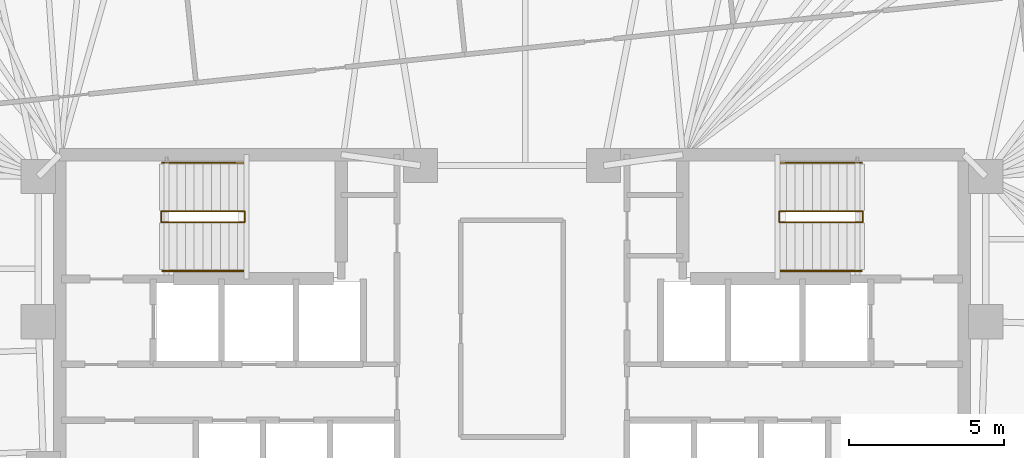
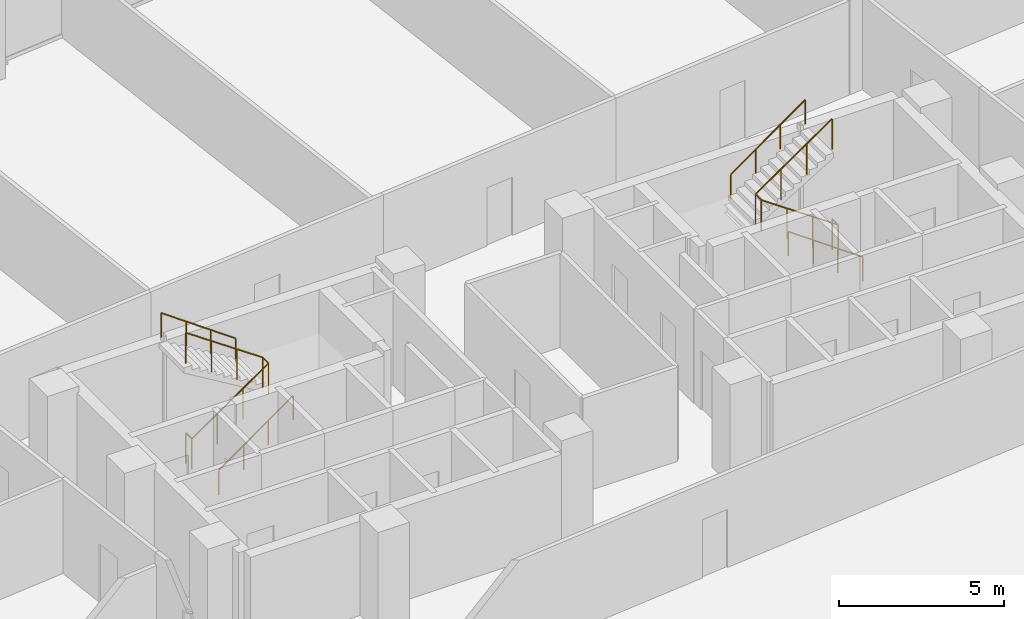
# One storey, part 18 of 18: 6 railings.
"""IFC4 building model written with IfcOpenShell, lengths in metres."""

from ifc_helpers import new_model, si_unit, direction, frame, origin, origin_2d, place, context, subcontext, project, spatial, circle, extrude, material, type_object, element, save


model = new_model("IFC4")

# Units and contexts
model_context = context("Model", 3, precision=1e-05, world=origin(), true_north=direction((0.0, 1.0)))
body_context = subcontext(model_context, "Body", "Model", "MODEL_VIEW")
ifc_project = project(units=[si_unit("LENGTHUNIT", "METRE"), si_unit("AREAUNIT", "SQUARE_METRE"), si_unit("VOLUMEUNIT", "CUBIC_METRE"), si_unit("PLANEANGLEUNIT", "RADIAN"), si_unit("MASSUNIT", "GRAM", prefix="KILO")], contexts=[model_context])

# Site, building, storey
site_placement = place(None, origin())
site = spatial("IfcSite", under=ifc_project, at=site_placement, CompositionType="ELEMENT")
building_placement = place(site_placement, origin())
building = spatial("IfcBuilding", under=site, at=building_placement, Name="Menara Jurai Vektor", CompositionType="ELEMENT")
storey_placement = place(building_placement, frame((0.0, 0.0, 105.89990234375)))
storey = spatial("IfcBuildingStorey", under=building, at=storey_placement, Name="L26", CompositionType="ELEMENT", Elevation=105.89990234375)

# Railings
ifc_material_1 = material(Name="Painted Galvanised Steel Balustrade", Category="steel")
railing_type_1 = type_object("IfcRailingType", Name="RAIL-STAIR-GUARD", PredefinedType="GUARDRAIL", material=ifc_material_1)
railing_1_placement = place(storey_placement, frame((-11.2900390625, 3.780029296875, 0.0)))
element("IfcRailing", 1, at=railing_1_placement, inside=storey, type_object=railing_type_1, Name="ST1 Stair Guardrail 1 L26", PredefinedType="GUARDRAIL", context=body_context, shape_type="SweptSolid", body=[
    extrude(circle(Radius=0.02392578125, at=origin_2d()), frame((0.0, 0.0, 1.1259765625), z_axis=(0.0, -1.0, 0.0), x_axis=(1.0, 0.0, 0.0)), (0.0, 0.0, 1.0), 0.360107421875),
    extrude(circle(Radius=0.02392578125, at=origin_2d()), frame((0.0, -0.360107421875, 1.1259765625), z_axis=(0.822944469782, 0.0, 0.568121817619), x_axis=(0.0, 1.0, 0.0)), (0.0, 0.0, 1.0), 3.256591796875),
    extrude(circle(Radius=0.02392578125, at=origin_2d()), frame((2.679931640625, -0.360107421875, 2.97607421875), z_axis=(0.0, 1.0, 0.0), x_axis=(-1.0, 0.0, 0.0)), (0.0, 0.0, 1.0), 0.360107421875),
    extrude(circle(Radius=0.02392578125, at=origin_2d()), frame((2.679931640625, 0.0, 2.97607421875), z_axis=(-0.822944469782, 0.0, 0.568121817619), x_axis=(0.0, -1.0, 0.0)), (0.0, 0.0, 1.0), 3.256591796875),
    extrude(circle(Radius=0.02099609375, at=origin_2d()), origin(), (0.0, 0.0, 1.0), 1.101806640625),
    extrude(circle(Radius=0.02099609375, at=origin_2d()), frame((0.0, -0.360107421875, 0.0)), (0.0, 0.0, 1.0), 1.101806640625),
    extrude(circle(Radius=0.02099609375, at=origin_2d()), frame((0.893310546875, -0.360107421875, 0.61669921875)), (0.0, 0.0, 1.0), 1.101806640625),
    extrude(circle(Radius=0.02099609375, at=origin_2d()), frame((1.78662109375, -0.360107421875, 1.2333984375)), (0.0, 0.0, 1.0), 1.101806640625),
    extrude(circle(Radius=0.02099609375, at=origin_2d()), frame((2.679931640625, -0.360107421875, 1.85009765625)), (0.0, 0.0, 1.0), 1.101806640625),
    extrude(circle(Radius=0.02099609375, at=origin_2d()), frame((2.679931640625, 0.0, 1.85009765625)), (0.0, 0.0, 1.0), 1.101806640625),
    extrude(circle(Radius=0.02099609375, at=origin_2d()), frame((1.78662109375, 0.0, 2.466796875)), (0.0, 0.0, 1.0), 1.101806640625),
    extrude(circle(Radius=0.02099609375, at=origin_2d()), frame((0.893310546875, 0.0, 3.08349609375)), (0.0, 0.0, 1.0), 1.101806640625),
    extrude(circle(Radius=0.02099609375, at=origin_2d()), frame((0.0, 0.0, 3.7001953125)), (0.0, 0.0, 1.0), 1.101806640625),
])
railing_2_placement = place(storey_placement, frame((11.2900390625, 3.780029296875, 0.0)))
element("IfcRailing", 2, at=railing_2_placement, inside=storey, type_object=railing_type_1, Name="ST2 Stair Guardrail 1 L26", PredefinedType="GUARDRAIL", context=body_context, shape_type="SweptSolid", body=[
    extrude(circle(Radius=0.02392578125, at=origin_2d()), frame((0.0, 0.0, 1.1259765625), z_axis=(0.0, -1.0, 0.0), x_axis=(1.0, 0.0, 0.0)), (0.0, 0.0, 1.0), 0.360107421875),
    extrude(circle(Radius=0.02392578125, at=origin_2d()), frame((0.0, -0.360107421875, 1.1259765625), z_axis=(-0.822944469782, 0.0, 0.568121817619), x_axis=(0.0, -1.0, 0.0)), (0.0, 0.0, 1.0), 3.256591796875),
    extrude(circle(Radius=0.02392578125, at=origin_2d()), frame((-2.679931640625, -0.360107421875, 2.97607421875), z_axis=(0.0, 1.0, 0.0), x_axis=(-1.0, 0.0, 0.0)), (0.0, 0.0, 1.0), 0.360107421875),
    extrude(circle(Radius=0.02392578125, at=origin_2d()), frame((-2.679931640625, 0.0, 2.97607421875), z_axis=(0.822944469782, 0.0, 0.568121817619), x_axis=(0.0, 1.0, 0.0)), (0.0, 0.0, 1.0), 3.256591796875),
    extrude(circle(Radius=0.02099609375, at=origin_2d()), origin(), (0.0, 0.0, 1.0), 1.101806640625),
    extrude(circle(Radius=0.02099609375, at=origin_2d()), frame((0.0, -0.360107421875, 0.0)), (0.0, 0.0, 1.0), 1.101806640625),
    extrude(circle(Radius=0.02099609375, at=origin_2d()), frame((-0.893310546875, -0.360107421875, 0.61669921875)), (0.0, 0.0, 1.0), 1.101806640625),
    extrude(circle(Radius=0.02099609375, at=origin_2d()), frame((-1.78662109375, -0.360107421875, 1.2333984375)), (0.0, 0.0, 1.0), 1.101806640625),
    extrude(circle(Radius=0.02099609375, at=origin_2d()), frame((-2.679931640625, -0.360107421875, 1.85009765625)), (0.0, 0.0, 1.0), 1.101806640625),
    extrude(circle(Radius=0.02099609375, at=origin_2d()), frame((-2.679931640625, 0.0, 1.85009765625)), (0.0, 0.0, 1.0), 1.101806640625),
    extrude(circle(Radius=0.02099609375, at=origin_2d()), frame((-1.78662109375, 0.0, 2.466796875)), (0.0, 0.0, 1.0), 1.101806640625),
    extrude(circle(Radius=0.02099609375, at=origin_2d()), frame((-0.893310546875, 0.0, 3.08349609375)), (0.0, 0.0, 1.0), 1.101806640625),
    extrude(circle(Radius=0.02099609375, at=origin_2d()), frame((0.0, 0.0, 3.7001953125)), (0.0, 0.0, 1.0), 1.101806640625),
])
ifc_material_2 = material(Name="Brushed Stainless Steel Handrail", Category="steel")
railing_type_2 = type_object("IfcRailingType", Name="RAIL-STAIR-HAND", PredefinedType="HANDRAIL", material=ifc_material_2)
railing_3_placement = place(storey_placement, frame((-11.25, 1.860107421875, 0.0)))
element("IfcRailing", 3, at=railing_3_placement, inside=storey, type_object=railing_type_2, Name="ST1 Stair Handrail 1 L26", PredefinedType="HANDRAIL", context=body_context, shape_type="SweptSolid", body=[
    extrude(circle(Radius=0.02392578125, at=origin_2d()), frame((0.0, 0.0, 0.89599609375), z_axis=(0.814786671209, 0.0, 0.579760882106), x_axis=(0.0, 1.0, 0.0)), (0.0, 0.0, 1.0), 3.191162109375),
    extrude(circle(Radius=0.02099609375, at=origin_2d()), origin(), (0.0, 0.0, 1.0), 0.871826171875),
    extrude(circle(Radius=0.02099609375, at=origin_2d()), frame((0.86669921875, 0.0, 0.61669921875)), (0.0, 0.0, 1.0), 0.871826171875),
    extrude(circle(Radius=0.02099609375, at=origin_2d()), frame((1.7333984375, 0.0, 1.2333984375)), (0.0, 0.0, 1.0), 0.871826171875),
    extrude(circle(Radius=0.02099609375, at=origin_2d()), frame((2.60009765625, 0.0, 1.85009765625)), (0.0, 0.0, 1.0), 0.871826171875),
])
for number, where, name in (
    (4, (-8.64990234375, 5.340087890625, 1.85009765625), "ST1 Stair Handrail 2 L26"),
    (5, (11.25, 1.860107421875, 0.0), "ST2 Stair Handrail 1 L26"),
):
    element("IfcRailing", number, at=place(storey_placement, frame(where)), inside=storey, type_object=railing_type_2, Name=name, PredefinedType="HANDRAIL", context=body_context, shape_type="SweptSolid", body=[
        extrude(circle(Radius=0.02392578125, at=origin_2d()), frame((0.0, 0.0, 0.89599609375), z_axis=(-0.814786671209, 0.0, 0.579760882106), x_axis=(0.0, -1.0, 0.0)), (0.0, 0.0, 1.0), 3.191162109375),
        extrude(circle(Radius=0.02099609375, at=origin_2d()), origin(), (0.0, 0.0, 1.0), 0.871826171875),
        extrude(circle(Radius=0.02099609375, at=origin_2d()), frame((-0.86669921875, 0.0, 0.61669921875)), (0.0, 0.0, 1.0), 0.871826171875),
        extrude(circle(Radius=0.02099609375, at=origin_2d()), frame((-1.7333984375, 0.0, 1.2333984375)), (0.0, 0.0, 1.0), 0.871826171875),
        extrude(circle(Radius=0.02099609375, at=origin_2d()), frame((-2.60009765625, 0.0, 1.85009765625)), (0.0, 0.0, 1.0), 0.871826171875),
    ])
railing_4_placement = place(storey_placement, frame((8.64990234375, 5.340087890625, 1.85009765625)))
element("IfcRailing", 6, at=railing_4_placement, inside=storey, type_object=railing_type_2, Name="ST2 Stair Handrail 2 L26", PredefinedType="HANDRAIL", context=body_context, shape_type="SweptSolid", body=[
    extrude(circle(Radius=0.02392578125, at=origin_2d()), frame((0.0, 0.0, 0.89599609375), z_axis=(0.814786671209, 0.0, 0.579760882106), x_axis=(0.0, 1.0, 0.0)), (0.0, 0.0, 1.0), 3.191162109375),
    extrude(circle(Radius=0.02099609375, at=origin_2d()), origin(), (0.0, 0.0, 1.0), 0.871826171875),
    extrude(circle(Radius=0.02099609375, at=origin_2d()), frame((0.86669921875, 0.0, 0.61669921875)), (0.0, 0.0, 1.0), 0.871826171875),
    extrude(circle(Radius=0.02099609375, at=origin_2d()), frame((1.7333984375, 0.0, 1.2333984375)), (0.0, 0.0, 1.0), 0.871826171875),
    extrude(circle(Radius=0.02099609375, at=origin_2d()), frame((2.60009765625, 0.0, 1.85009765625)), (0.0, 0.0, 1.0), 0.871826171875),
])

save(model, "model.ifc")
